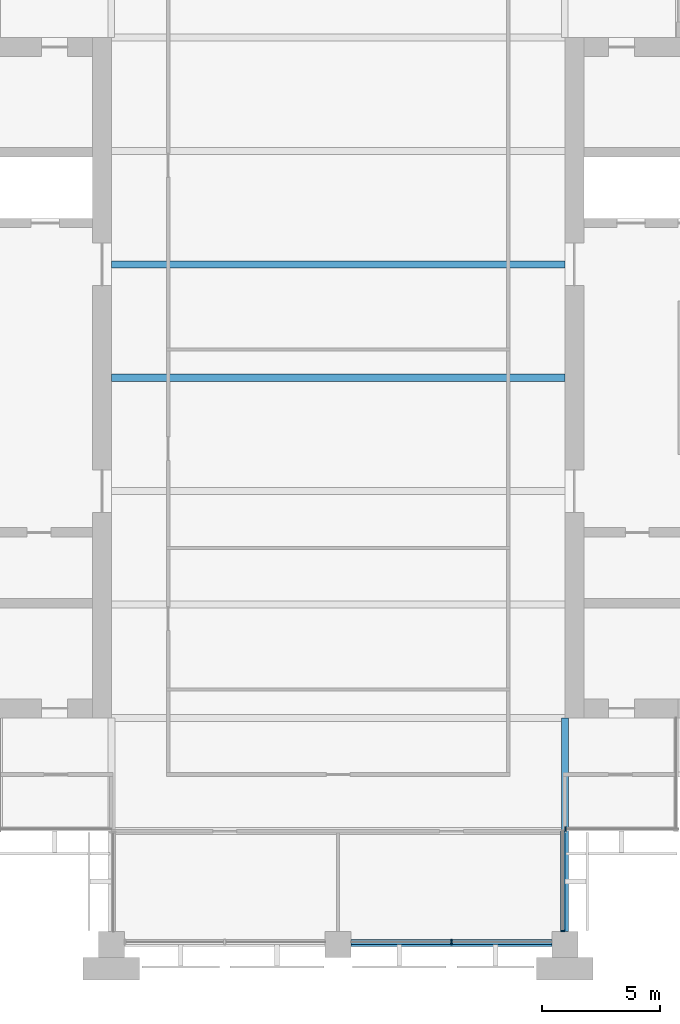
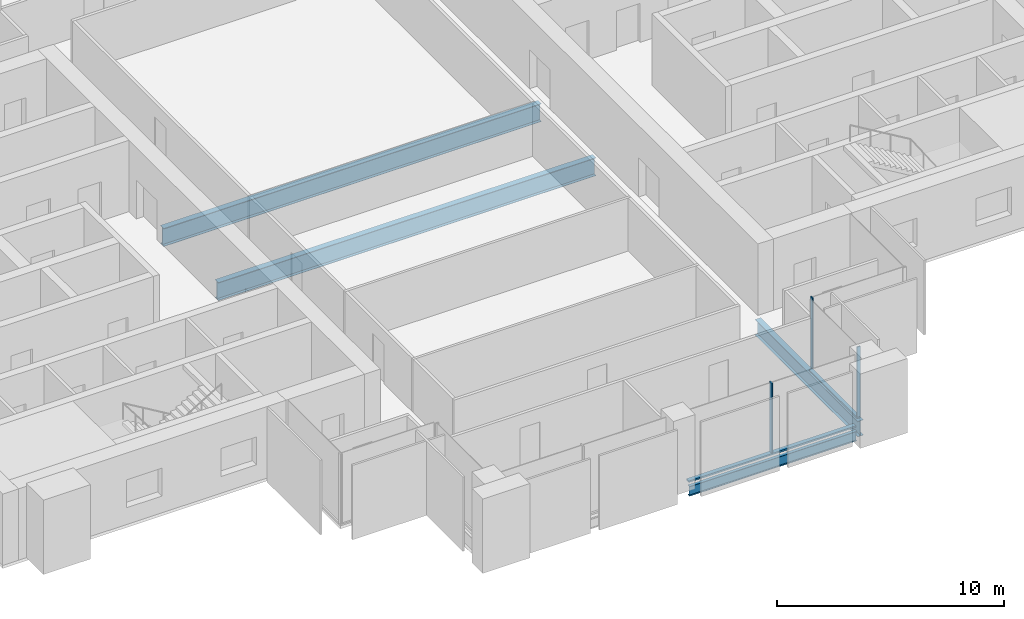
# One storey, part 3 of 13: 5 members, 4 beams, 3 elements without a shape of their own.
"""IFC4 building model written with IfcOpenShell, lengths in metres."""

from ifc_helpers import new_model, si_unit, direction, frame, origin, origin_2d, place, context, subcontext, project, spatial, rectangle, i_section, extrude, material, material_profile, profile_set, type_object, element, aggregate, save


model = new_model("IFC4")

# Units and contexts
model_context = context("Model", 3, precision=1e-05, world=origin(), true_north=direction((0.0, 1.0)))
body_context = subcontext(model_context, "Body", "Model", "MODEL_VIEW")
ifc_project = project(units=[si_unit("LENGTHUNIT", "METRE"), si_unit("AREAUNIT", "SQUARE_METRE"), si_unit("VOLUMEUNIT", "CUBIC_METRE"), si_unit("PLANEANGLEUNIT", "RADIAN"), si_unit("MASSUNIT", "GRAM", prefix="KILO")], contexts=[model_context])

# Site, building, storey
site_placement = place(None, origin())
site = spatial("IfcSite", under=ifc_project, at=site_placement, CompositionType="ELEMENT")
building_placement = place(site_placement, origin())
building = spatial("IfcBuilding", under=site, at=building_placement, Name="Baori Bourse Tower", CompositionType="ELEMENT")
storey_placement = place(building_placement, frame((0.0, 0.0, 253.199951171875)))
storey = spatial("IfcBuildingStorey", under=building, at=storey_placement, Name="L56", CompositionType="ELEMENT", Elevation=253.199951171875)

# Curtain wall, member
ifc_material_1 = material(Name="Pale anodised aluminium", Category="aluminium")
curtain_wall_type_1 = type_object("IfcCurtainWallType", Name="CW2 Curtain wall", PredefinedType="NOTDEFINED", material=ifc_material_1)
curtain_wall_1_placement = place(storey_placement, origin())
curtain_wall_1 = element("IfcCurtainWall", 1, at=curtain_wall_1_placement, inside=storey, type_object=curtain_wall_type_1, Name="Curtain wall CW2 L56 12", PredefinedType="NOTDEFINED")
ifc_material_2 = material(Name="Pale anodised aluminium", Category="aluminium")
ifc_material_profile_1 = material_profile(ifc_material_2, rectangle(XDim=0.179931640625, YDim=0.054931640625, at=origin_2d()), Name="Mullion 55x180")
ifc_profile_set_1 = profile_set([ifc_material_profile_1], Name="Pale anodised aluminium")
member_type_1 = type_object("IfcMemberType", Name="CW2 Curtain wall mullion", PredefinedType="MULLION", material=ifc_profile_set_1)
member_1_placement = place(storey_placement, frame((38.31005859375, 0.577392578125, 0.070068359375), z_axis=(0.0, 0.0, 1.0), x_axis=(-1.0, 0.0, 0.0)))
member_1 = element("IfcMember", 2, at=member_1_placement, type_object=member_type_1, Name="Curtain wall CW2 mullion", PredefinedType="MULLION", context=body_context, shape_type="SweptSolid", body=[
    extrude(rectangle(XDim=0.179931640625, YDim=0.054931640625, at=origin_2d()), origin(), (0.0, 0.0, 1.0), 3.77001953125),
])

curtain_wall_2_placement = place(storey_placement, origin())
curtain_wall_2 = element("IfcCurtainWall", 3, at=curtain_wall_2_placement, inside=storey, type_object=curtain_wall_type_1, Name="Curtain wall CW2 L56 13", PredefinedType="NOTDEFINED")
member_2_placement = place(storey_placement, frame((38.427490234375, 4.889892578125, 0.070068359375), z_axis=(0.0, 0.0, 1.0), x_axis=(0.0, 1.0, 0.0)))
member_2 = element("IfcMember", 4, at=member_2_placement, type_object=member_type_1, Name="Curtain wall CW2 mullion", PredefinedType="MULLION", context=body_context, shape_type="SweptSolid", body=[
    extrude(rectangle(XDim=0.179931640625, YDim=0.054931640625, at=origin_2d()), origin(), (0.0, 0.0, 1.0), 3.77001953125),
])
aggregate(curtain_wall_2, [member_2])

# Member
ifc_material_3 = material(Name="Pale anodised aluminium", Category="aluminium")
ifc_material_profile_2 = material_profile(ifc_material_3, rectangle(XDim=0.179931640625, YDim=0.070068359375, at=origin_2d()), Name="Transom 70x180")
ifc_profile_set_2 = profile_set([ifc_material_profile_2], Name="Pale anodised aluminium")
member_type_2 = type_object("IfcMemberType", Name="CW2 Curtain wall transom", PredefinedType="USERDEFINED", material=ifc_profile_set_2)
member_3_placement = place(storey_placement, frame((38.31005859375, 0.550048828125, 0.03515625), z_axis=(0.0, 1.0, 0.0), x_axis=(-1.0, 0.0, 0.0)))
member_3 = element("IfcMember", 5, at=member_3_placement, type_object=member_type_2, Name="Curtain wall CW2 sill rail", ObjectType="TRANSOM", PredefinedType="USERDEFINED", context=body_context, shape_type="SweptSolid", body=[
    extrude(rectangle(XDim=0.179931640625, YDim=0.070068359375, at=origin_2d()), origin(), (0.0, 0.0, 1.0), 4.25),
])

aggregate(curtain_wall_1, [member_3, member_1])

# Curtain wall, members
ifc_material_4 = material(Name="Pale anodised aluminium", Category="aluminium")
curtain_wall_type_2 = type_object("IfcCurtainWallType", Name="CW5 Curtain wall", PredefinedType="NOTDEFINED", material=ifc_material_4)
curtain_wall_3_placement = place(storey_placement, origin())
curtain_wall_3 = element("IfcCurtainWall", 6, at=curtain_wall_3_placement, inside=storey, type_object=curtain_wall_type_2, Name="Curtain wall CW5 L56 11", PredefinedType="NOTDEFINED")
ifc_material_5 = material(Name="Pale anodised aluminium", Category="aluminium")
ifc_material_profile_3 = material_profile(ifc_material_5, rectangle(XDim=0.219970703125, YDim=0.06494140625, at=origin_2d()), Name="Mullion 65x220")
ifc_profile_set_3 = profile_set([ifc_material_profile_3], Name="Pale anodised aluminium")
member_type_3 = type_object("IfcMemberType", Name="CW5 Curtain wall mullion", PredefinedType="MULLION", material=ifc_profile_set_3)
member_4_placement = place(storey_placement, frame((33.60009765625, 0.110107421875, 0.0849609375), z_axis=(0.0, 0.0, 1.0), x_axis=(0.0, 1.0, 0.0)))
member_4 = element("IfcMember", 7, at=member_4_placement, type_object=member_type_3, Name="Curtain wall CW5 mullion", PredefinedType="MULLION", context=body_context, shape_type="SweptSolid", body=[
    extrude(rectangle(XDim=0.219970703125, YDim=0.06494140625, at=origin_2d()), origin(), (0.0, 0.0, 1.0), 3.755126953125),
])
ifc_material_6 = material(Name="Pale anodised aluminium", Category="aluminium")
ifc_material_profile_4 = material_profile(ifc_material_6, rectangle(XDim=0.219970703125, YDim=0.0849609375, at=origin_2d()), Name="Transom 85x220")
ifc_profile_set_4 = profile_set([ifc_material_profile_4], Name="Pale anodised aluminium")
member_type_4 = type_object("IfcMemberType", Name="CW5 Curtain wall transom", PredefinedType="USERDEFINED", material=ifc_profile_set_4)
member_5_placement = place(storey_placement, frame((29.35009765625, 0.110107421875, 0.04248046875), z_axis=(1.0, 0.0, 0.0), x_axis=(0.0, 1.0, 0.0)))
member_5 = element("IfcMember", 8, at=member_5_placement, type_object=member_type_4, Name="Curtain wall CW5 sill rail", ObjectType="TRANSOM", PredefinedType="USERDEFINED", context=body_context, shape_type="SweptSolid", body=[
    extrude(rectangle(XDim=0.219970703125, YDim=0.0849609375, at=origin_2d()), origin(), (0.0, 0.0, 1.0), 8.5),
])
aggregate(curtain_wall_3, [member_5, member_4])

# Beams
ifc_material_7 = material(Name="Steel A992 Gr 50", Category="steel")
ifc_material_profile_5 = material_profile(ifc_material_7, i_section(OverallWidth=0.1650390625, OverallDepth=0.52587890625, WebThickness=0.0087890625, FlangeThickness=0.011474609375, at=origin_2d()), Name="W21x44")
ifc_profile_set_5 = profile_set([ifc_material_profile_5], Name="Steel A992 Gr 50")
beam_type_1 = type_object("IfcBeamType", Name="Edge beam W21x44", PredefinedType="BEAM", material=ifc_profile_set_5)
beam_1_placement = place(storey_placement, frame((29.35009765625, 0.0, -0.4228515625), z_axis=(1.0, 0.0, 0.0), x_axis=(0.0, 1.0, 0.0)))
element("IfcBeam", 9, at=beam_1_placement, inside=storey, type_object=beam_type_1, Name="Edge beam L56", PredefinedType="BEAM", context=body_context, shape_type="SweptSolid", body=[
    extrude(i_section(OverallWidth=0.1650390625, OverallDepth=0.52587890625, WebThickness=0.0087890625, FlangeThickness=0.011474609375, at=origin_2d()), origin(), (0.0, 0.0, 1.0), 8.5),
])
ifc_material_8 = material(Name="Steel A992 Gr 50", Category="steel")
ifc_material_profile_6 = material_profile(ifc_material_8, i_section(OverallWidth=0.2998046875, OverallDepth=0.97021484375, WebThickness=0.01611328125, FlangeThickness=0.02099609375, at=origin_2d()), Name="W40x149")
ifc_profile_set_6 = profile_set([ifc_material_profile_6], Name="Steel A992 Gr 50")
beam_type_2 = type_object("IfcBeamType", Name="Floor beam W40x149", PredefinedType="BEAM", material=ifc_profile_set_6)
for number, where, z_axis, x_axis, name in (
    (10, (19.199951171875, 24.0, -0.64501953125), (1.0, 0.0, 0.0), (0.0, 1.0, 0.0), "Floor beam L56"),
    (11, (19.199951171875, 28.800048828125, -0.64501953125), (1.0, 0.0, 0.0), (0.0, 1.0, 0.0), "Floor beam L56"),
):
    element("IfcBeam", number, at=place(storey_placement, frame(where, z_axis=z_axis, x_axis=x_axis)), inside=storey, type_object=beam_type_2, Name=name, PredefinedType="BEAM", context=body_context, shape_type="SweptSolid", body=[
        extrude(i_section(OverallWidth=0.2998046875, OverallDepth=0.97021484375, WebThickness=0.01611328125, FlangeThickness=0.02099609375, at=origin_2d()), origin(), (0.0, 0.0, 1.0), 19.199951171875),
    ])
ifc_material_9 = material(Name="Steel A992 Gr 50", Category="steel")
ifc_material_profile_7 = material_profile(ifc_material_9, i_section(OverallWidth=0.2919921875, OverallDepth=0.835693359375, WebThickness=0.013916015625, FlangeThickness=0.018798828125, at=origin_2d()), Name="W33x118")
ifc_profile_set_7 = profile_set([ifc_material_profile_7], Name="Steel A992 Gr 50")
beam_type_3 = type_object("IfcBeamType", Name="Girder W33x118", PredefinedType="BEAM", material=ifc_profile_set_7)
beam_2_placement = place(storey_placement, frame((38.39990234375, 0.550048828125, -0.577880859375), z_axis=(0.0, 1.0, 0.0), x_axis=(-1.0, 0.0, 0.0)))
element("IfcBeam", 12, at=beam_2_placement, inside=storey, type_object=beam_type_3, Name="Girder L56", PredefinedType="BEAM", context=body_context, shape_type="SweptSolid", body=[
    extrude(i_section(OverallWidth=0.2919921875, OverallDepth=0.835693359375, WebThickness=0.013916015625, FlangeThickness=0.018798828125, at=origin_2d()), origin(), (0.0, 0.0, 1.0), 9.050048828125),
])

save(model, "model.ifc")
